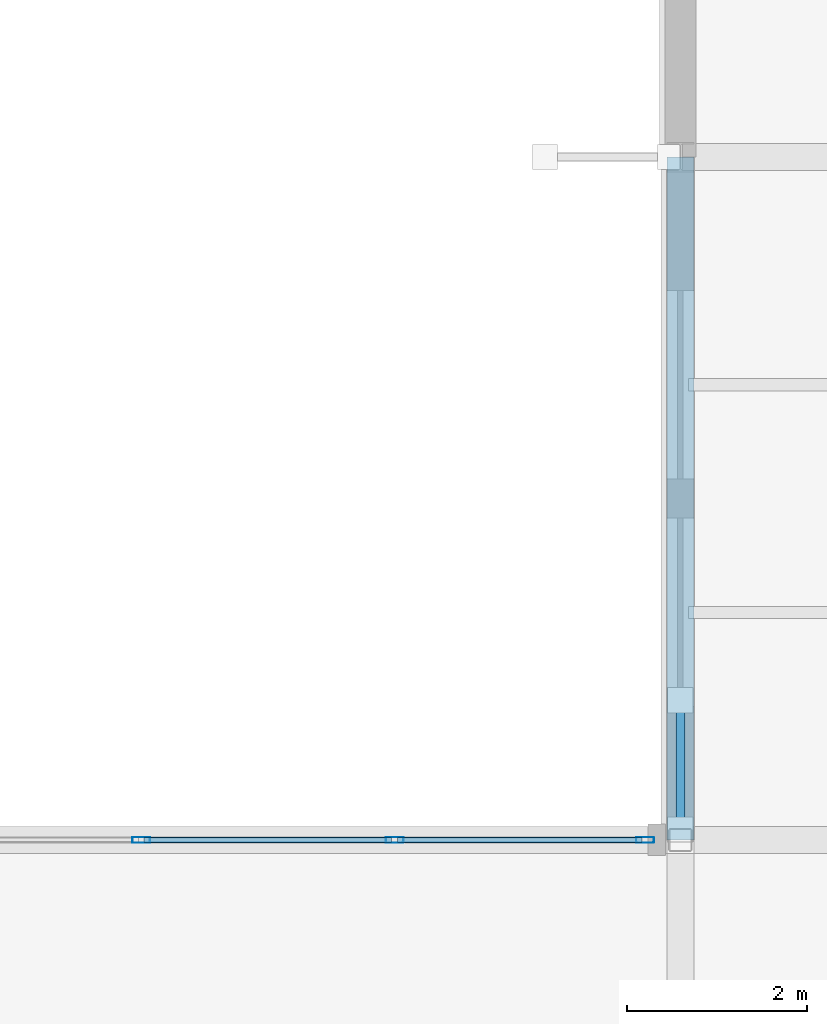
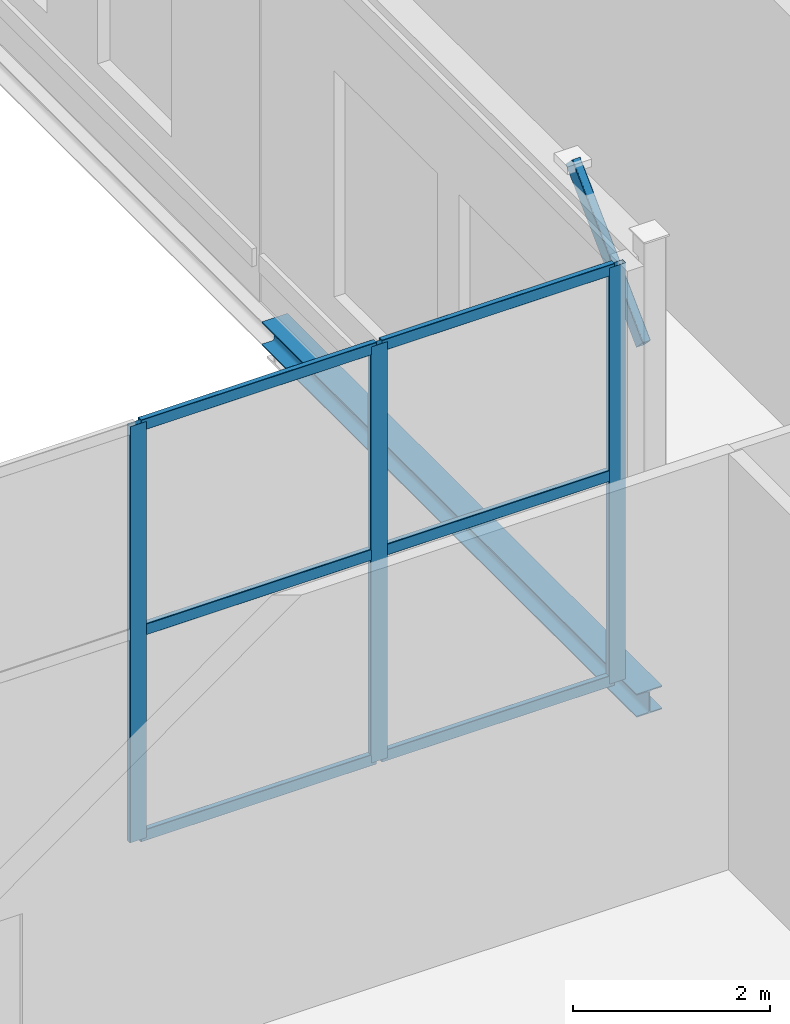
# One storey, part 80 of 147: 10 members, 1 beam, 1 element without a shape of its own.
"""IFC4 building model written with IfcOpenShell, lengths in metres."""

from ifc_helpers import new_model, si_unit, direction, frame, origin, origin_2d, place, context, subcontext, project, spatial, hollow_rectangle, i_section, extrude, material, layer, layer_set, material_profile, profile_set, type_object, element, aggregate, save


model = new_model("IFC4")

# Units and contexts
model_context = context("Model", 3, precision=1e-05, world=origin(), true_north=direction((0.0, 1.0)))
body_context = subcontext(model_context, "Body", "Model", "MODEL_VIEW")
ifc_project = project(units=[si_unit("LENGTHUNIT", "METRE"), si_unit("AREAUNIT", "SQUARE_METRE"), si_unit("VOLUMEUNIT", "CUBIC_METRE"), si_unit("PLANEANGLEUNIT", "RADIAN"), si_unit("MASSUNIT", "GRAM", prefix="KILO")], contexts=[model_context])

# Site, building, storey
site_placement = place(None, origin())
site = spatial("IfcSite", under=ifc_project, at=site_placement, CompositionType="ELEMENT")
building_placement = place(site_placement, origin())
building = spatial("IfcBuilding", under=site, at=building_placement, Name="Vekula Escarpment Museum", CompositionType="ELEMENT")
storey_placement = place(building_placement, frame((0.0, 0.0, 7.800048828125)))
storey = spatial("IfcBuildingStorey", under=building, at=storey_placement, Name="L02", CompositionType="ELEMENT", Elevation=7.800048828125)

# Beam
ifc_material_1 = material(Name="Steel S355", Category="steel")
ifc_material_profile_1 = material_profile(ifc_material_1, i_section(OverallWidth=0.300048828125, OverallDepth=0.2900390625, WebThickness=0.008544921875, FlangeThickness=0.013916015625, FilletRadius=0.027099609375, at=origin_2d()), Name="HEA 300")
ifc_profile_set_1 = profile_set([ifc_material_profile_1], Name="Steel S355")
beam_type = type_object("IfcBeamType", Name="BM-SPAN-HEA300", PredefinedType="SPANDREL", material=ifc_profile_set_1)
beam_placement = place(storey_placement, frame((167.0, 15.199951171875, -0.405029296875), z_axis=(0.0, 1.0, 0.0), x_axis=(-1.0, 0.0, 0.0)))
element("IfcBeam", 1, at=beam_placement, inside=storey, type_object=beam_type, Name="Beam Y L02 1223", PredefinedType="SPANDREL", context=body_context, shape_type="SweptSolid", body=[
    extrude(i_section(OverallWidth=0.300048828125, OverallDepth=0.2900390625, WebThickness=0.008544921875, FlangeThickness=0.013916015625, FilletRadius=0.027099609375, at=origin_2d()), origin(), (0.0, 0.0, 1.0), 7.60009765625),
])

# Curtain wall, members
ifc_material_2 = material(Name="Aluminium thermally broken framing", Category="aluminium")
ifc_layer = layer(ifc_material_2, 0.179931640625)
ifc_layer_set = layer_set([ifc_layer], Name="Aluminium thermally broken framing")
curtain_wall_type = type_object("IfcCurtainWallType", Name="CW-SYS-07", PredefinedType="NOTDEFINED", material=ifc_layer_set)
curtain_wall_placement = place(storey_placement, origin())
curtain_wall = element("IfcCurtainWall", 2, at=curtain_wall_placement, inside=storey, type_object=curtain_wall_type, Name="Curtain Wall CW-L02-067", PredefinedType="NOTDEFINED")
ifc_material_3 = material(Name="Aluminium anodized mullion", Category="aluminium")
ifc_material_profile_2 = material_profile(ifc_material_3, hollow_rectangle(XDim=0.06494140625, YDim=0.199951171875, WallThickness=0.00390625, InnerFilletRadius=0.00390625, OuterFilletRadius=0.008056640625, at=origin_2d()), Name="ALU 200x65x4")
ifc_profile_set_2 = profile_set([ifc_material_profile_2], Name="Aluminium anodized mullion")
member_type_1 = type_object("IfcMemberType", Name="CW-MUL-200", PredefinedType="MULLION", material=ifc_profile_set_2)
member_1_placement = place(storey_placement, frame((166.607421875, 15.199951171875, 0.0), z_axis=(0.0, 0.0, 1.0), x_axis=(0.0, -1.0, 0.0)))
member_1 = element("IfcMember", 3, at=member_1_placement, type_object=member_type_1, Name="CW-07 mullion 1", PredefinedType="MULLION", context=body_context, shape_type="SweptSolid", body=[
    extrude(hollow_rectangle(XDim=0.06494140625, YDim=0.199951171875, WallThickness=0.00390625, InnerFilletRadius=0.00390625, OuterFilletRadius=0.008056640625, at=origin_2d()), origin(), (0.0, 0.0, 1.0), 5.14990234375),
])
member_2_placement = place(storey_placement, frame((163.820068359375, 15.199951171875, 0.0), z_axis=(0.0, 0.0, 1.0), x_axis=(0.0, -1.0, 0.0)))
member_2 = element("IfcMember", 4, at=member_2_placement, type_object=member_type_1, Name="CW-07 mullion 2", PredefinedType="MULLION", context=body_context, shape_type="SweptSolid", body=[
    extrude(hollow_rectangle(XDim=0.06494140625, YDim=0.199951171875, WallThickness=0.00390625, InnerFilletRadius=0.00390625, OuterFilletRadius=0.008056640625, at=origin_2d()), origin(), (0.0, 0.0, 1.0), 5.14990234375),
])
member_3_placement = place(storey_placement, frame((161.0, 15.199951171875, 0.0), z_axis=(0.0, 0.0, 1.0), x_axis=(0.0, -1.0, 0.0)))
member_3 = element("IfcMember", 5, at=member_3_placement, type_object=member_type_1, Name="CW-07 mullion 3", PredefinedType="MULLION", context=body_context, shape_type="SweptSolid", body=[
    extrude(hollow_rectangle(XDim=0.06494140625, YDim=0.199951171875, WallThickness=0.00390625, InnerFilletRadius=0.00390625, OuterFilletRadius=0.008056640625, at=origin_2d()), origin(), (0.0, 0.0, 1.0), 5.14990234375),
])
ifc_material_4 = material(Name="Aluminium anodized transom", Category="aluminium")
ifc_material_profile_3 = material_profile(ifc_material_4, hollow_rectangle(XDim=0.06494140625, YDim=0.139892578125, WallThickness=0.00390625, InnerFilletRadius=0.00390625, OuterFilletRadius=0.008056640625, at=origin_2d()), Name="ALU 140x65x4")
ifc_profile_set_3 = profile_set([ifc_material_profile_3], Name="Aluminium anodized transom")
member_type_2 = type_object("IfcMemberType", Name="CW-TRN-140", PredefinedType="USERDEFINED", material=ifc_profile_set_3)
member_4_placement = place(storey_placement, frame((166.574951171875, 15.199951171875, 0.032470703125), z_axis=(-1.0, 0.0, 0.0), x_axis=(0.0, -1.0, 0.0)))
member_4 = element("IfcMember", 6, at=member_4_placement, type_object=member_type_2, Name="CW-07 transom 1.1", ObjectType="TRANSOM", PredefinedType="USERDEFINED", context=body_context, shape_type="SweptSolid", body=[
    extrude(hollow_rectangle(XDim=0.06494140625, YDim=0.139892578125, WallThickness=0.00390625, InnerFilletRadius=0.00390625, OuterFilletRadius=0.008056640625, at=origin_2d()), origin(), (0.0, 0.0, 1.0), 2.722412109375),
])
member_5_placement = place(storey_placement, frame((166.574951171875, 15.199951171875, 2.574951171875), z_axis=(-1.0, 0.0, 0.0), x_axis=(0.0, -1.0, 0.0)))
member_5 = element("IfcMember", 7, at=member_5_placement, type_object=member_type_2, Name="CW-07 transom 1.2", ObjectType="TRANSOM", PredefinedType="USERDEFINED", context=body_context, shape_type="SweptSolid", body=[
    extrude(hollow_rectangle(XDim=0.06494140625, YDim=0.139892578125, WallThickness=0.00390625, InnerFilletRadius=0.00390625, OuterFilletRadius=0.008056640625, at=origin_2d()), origin(), (0.0, 0.0, 1.0), 2.722412109375),
])
member_6_placement = place(storey_placement, frame((166.574951171875, 15.199951171875, 5.117431640625), z_axis=(-1.0, 0.0, 0.0), x_axis=(0.0, -1.0, 0.0)))
member_6 = element("IfcMember", 8, at=member_6_placement, type_object=member_type_2, Name="CW-07 transom 1.3", ObjectType="TRANSOM", PredefinedType="USERDEFINED", context=body_context, shape_type="SweptSolid", body=[
    extrude(hollow_rectangle(XDim=0.06494140625, YDim=0.139892578125, WallThickness=0.00390625, InnerFilletRadius=0.00390625, OuterFilletRadius=0.008056640625, at=origin_2d()), origin(), (0.0, 0.0, 1.0), 2.722412109375),
])
member_7_placement = place(storey_placement, frame((163.78759765625, 15.199951171875, 0.032470703125), z_axis=(-1.0, 0.0, 0.0), x_axis=(0.0, -1.0, 0.0)))
member_7 = element("IfcMember", 9, at=member_7_placement, type_object=member_type_2, Name="CW-07 transom 2.1", ObjectType="TRANSOM", PredefinedType="USERDEFINED", context=body_context, shape_type="SweptSolid", body=[
    extrude(hollow_rectangle(XDim=0.06494140625, YDim=0.139892578125, WallThickness=0.00390625, InnerFilletRadius=0.00390625, OuterFilletRadius=0.008056640625, at=origin_2d()), origin(), (0.0, 0.0, 1.0), 2.755126953125),
])
member_8_placement = place(storey_placement, frame((163.78759765625, 15.199951171875, 2.574951171875), z_axis=(-1.0, 0.0, 0.0), x_axis=(0.0, -1.0, 0.0)))
member_8 = element("IfcMember", 10, at=member_8_placement, type_object=member_type_2, Name="CW-07 transom 2.2", ObjectType="TRANSOM", PredefinedType="USERDEFINED", context=body_context, shape_type="SweptSolid", body=[
    extrude(hollow_rectangle(XDim=0.06494140625, YDim=0.139892578125, WallThickness=0.00390625, InnerFilletRadius=0.00390625, OuterFilletRadius=0.008056640625, at=origin_2d()), origin(), (0.0, 0.0, 1.0), 2.755126953125),
])
member_9_placement = place(storey_placement, frame((163.78759765625, 15.199951171875, 5.117431640625), z_axis=(-1.0, 0.0, 0.0), x_axis=(0.0, -1.0, 0.0)))
member_9 = element("IfcMember", 11, at=member_9_placement, type_object=member_type_2, Name="CW-07 transom 2.3", ObjectType="TRANSOM", PredefinedType="USERDEFINED", context=body_context, shape_type="SweptSolid", body=[
    extrude(hollow_rectangle(XDim=0.06494140625, YDim=0.139892578125, WallThickness=0.00390625, InnerFilletRadius=0.00390625, OuterFilletRadius=0.008056640625, at=origin_2d()), origin(), (0.0, 0.0, 1.0), 2.755126953125),
])
aggregate(curtain_wall, [member_1, member_2, member_3, member_4, member_5, member_6, member_7, member_8, member_9])

# Member
ifc_material_5 = material(Name="Steel S355", Category="steel")
ifc_material_profile_4 = material_profile(ifc_material_5, hollow_rectangle(XDim=0.10009765625, YDim=0.199951171875, WallThickness=0.008056640625, InnerFilletRadius=0.008056640625, OuterFilletRadius=0.01611328125, at=origin_2d()), Name="RHS 200x100x8")
ifc_profile_set_4 = profile_set([ifc_material_profile_4], Name="Steel S355")
member_type_3 = type_object("IfcMemberType", Name="MB-SACAK-BRK", PredefinedType="STRUT", material=ifc_profile_set_4)
member_10_placement = place(storey_placement, frame((167.0, 15.320068359375, 3.949951171875), z_axis=(0.0, 0.714570141171, 0.699563802198), x_axis=(-1.0, 0.0, 0.0)))
element("IfcMember", 12, at=member_10_placement, inside=storey, type_object=member_type_3, Name="Ottoman Sacak Eave Bracket Z9-0148", PredefinedType="STRUT", context=body_context, shape_type="SweptSolid", body=[
    extrude(hollow_rectangle(XDim=0.10009765625, YDim=0.199951171875, WallThickness=0.008056640625, InnerFilletRadius=0.008056640625, OuterFilletRadius=0.01611328125, at=origin_2d()), origin(), (0.0, 0.0, 1.0), 2.001220703125),
])

save(model, "model.ifc")
